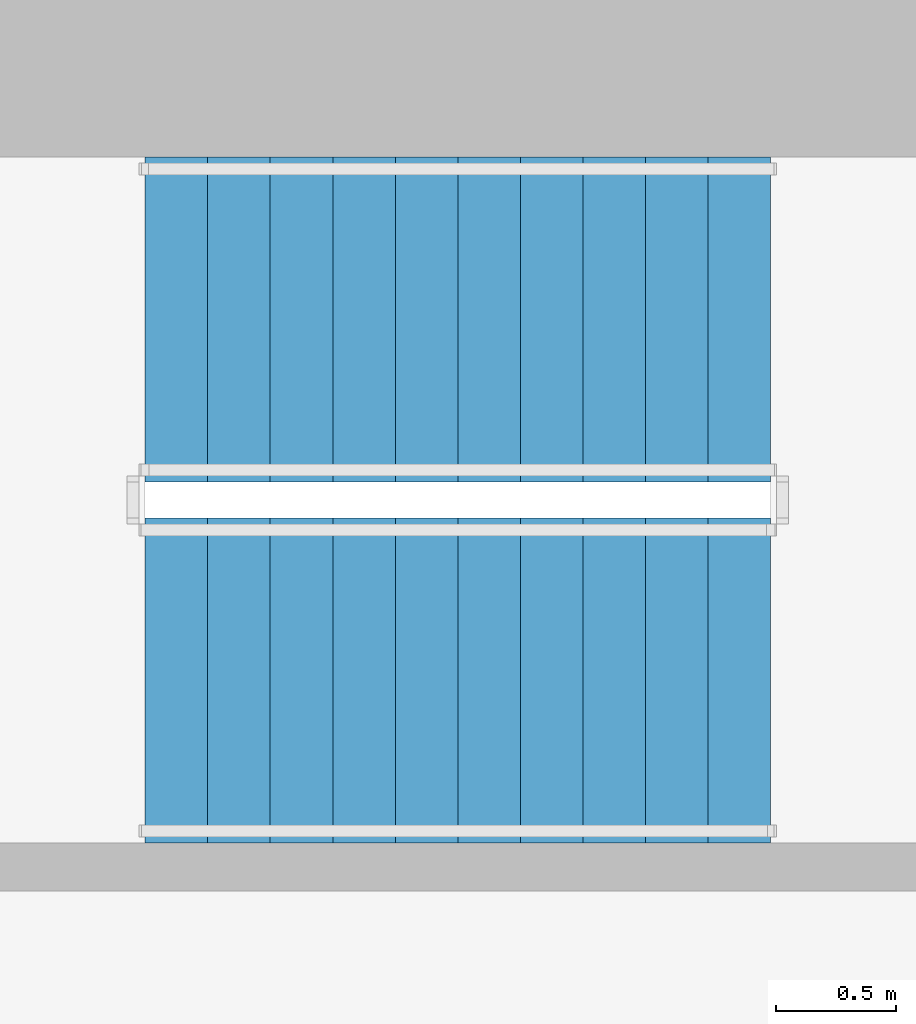
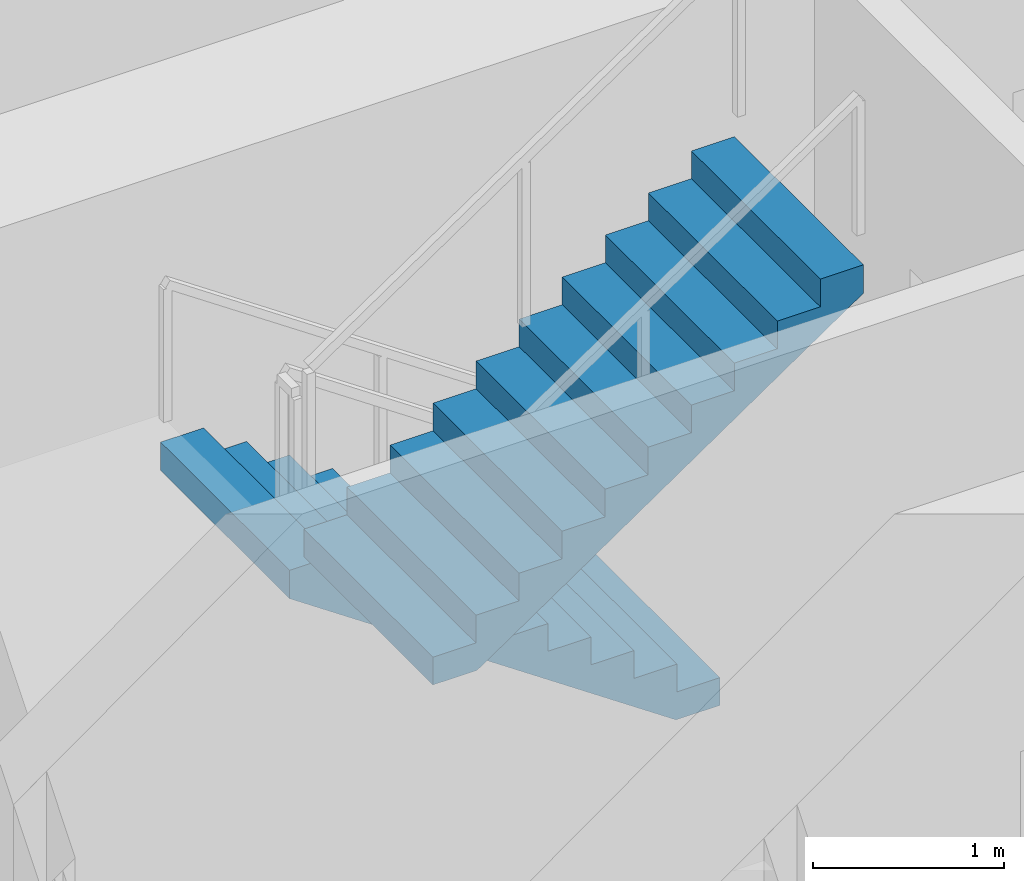
# One storey, part 10 of 15: 2 stair flights, 1 element without a shape of its own.
"""IFC4 building model written with IfcOpenShell, lengths in metres."""

from ifc_helpers import new_model, si_unit, direction, frame, origin, place, context, subcontext, project, spatial, polyline, outline, extrude, material, type_object, element, aggregate, save


model = new_model("IFC4")

# Units and contexts
model_context = context("Model", 3, precision=1e-05, world=origin(), true_north=direction((0.0, 1.0)))
body_context = subcontext(model_context, "Body", "Model", "MODEL_VIEW")
ifc_project = project(units=[si_unit("LENGTHUNIT", "METRE"), si_unit("AREAUNIT", "SQUARE_METRE"), si_unit("VOLUMEUNIT", "CUBIC_METRE"), si_unit("PLANEANGLEUNIT", "RADIAN"), si_unit("MASSUNIT", "GRAM", prefix="KILO")], contexts=[model_context])

# Site, building, storey
site_placement = place(None, origin())
site = spatial("IfcSite", under=ifc_project, at=site_placement, CompositionType="ELEMENT")
building_placement = place(site_placement, origin())
building = spatial("IfcBuilding", under=site, at=building_placement, Name="Khepri Terraces", CompositionType="ELEMENT")
storey_placement = place(building_placement, frame((0.0, 0.0, 256.199951171875)))
storey = spatial("IfcBuildingStorey", under=building, at=storey_placement, Name="L61", CompositionType="ELEMENT", Elevation=256.199951171875)

# Stair, stair flights
ifc_material = material(Name="Concrete C40/50", Category="concrete")
stair_type = type_object("IfcStairType", Name="STAIR-RC-22R", PredefinedType="HALF_TURN_STAIR", material=ifc_material)
stair_placement = place(storey_placement, origin())
stair = element("IfcStair", 1, at=stair_placement, inside=storey, type_object=stair_type, Name="L61 Exit Stair ST-3", PredefinedType="HALF_TURN_STAIR")
stair_flight_type = type_object("IfcStairFlightType", Name="SFL-RC-177.3", PredefinedType="STRAIGHT", material=ifc_material)
stair_flight_1_placement = place(storey_placement, frame((-0.25, 9.425048828125, 0.0), z_axis=(0.0, 0.0, 1.0), x_axis=(-1.0, 0.0, 0.0)))
stair_flight_1 = element("IfcStairFlight", 2, at=stair_flight_1_placement, type_object=stair_flight_type, Name="ST-3 flight 1", NumberOfRisers=11, NumberOfTreads=10, PredefinedType="STRAIGHT", RiserHeight=0.177272727, TreadLength=0.26, context=body_context, shape_type="SweptSolid", body=[
    extrude(outline(polyline([(0.0, 0.0), (0.0, 0.17724609375), (0.260009765625, 0.17724609375), (0.260009765625, 0.3544921875), (0.52001953125, 0.3544921875), (0.52001953125, 0.53173828125), (0.780029296875, 0.53173828125), (0.780029296875, 0.708984375), (1.0400390625, 0.708984375), (1.0400390625, 0.886474609375), (1.300048828125, 0.886474609375), (1.300048828125, 1.063720703125), (1.56005859375, 1.063720703125), (1.56005859375, 1.240966796875), (1.820068359375, 1.240966796875), (1.820068359375, 1.418212890625), (2.080078125, 1.418212890625), (2.080078125, 1.595458984375), (2.340087890625, 1.595458984375), (2.340087890625, 1.772705078125), (2.60009765625, 1.772705078125), (2.60009765625, 1.949951171875), (2.60009765625, 1.59130859375), (0.26611328125, 0.0), (0.0, 0.0)])), frame((0.0, 0.675048828125, 0.0), z_axis=(0.0, -1.0, 0.0), x_axis=(1.0, 0.0, 0.0)), (0.0, 0.0, 1.0), 1.35009765625),
])
stair_flight_2_placement = place(storey_placement, frame((-2.85009765625, 7.925048828125, 1.949951171875), z_axis=(0.0, 0.0, 1.0), x_axis=(1.0, 0.0, 0.0)))
stair_flight_2 = element("IfcStairFlight", 3, at=stair_flight_2_placement, type_object=stair_flight_type, Name="ST-3 flight 2", NumberOfRisers=11, NumberOfTreads=10, PredefinedType="STRAIGHT", RiserHeight=0.177272727, TreadLength=0.26, context=body_context, shape_type="SweptSolid", body=[
    extrude(outline(polyline([(0.0, 0.0), (0.0, 0.17724609375), (0.260009765625, 0.17724609375), (0.260009765625, 0.3544921875), (0.52001953125, 0.3544921875), (0.52001953125, 0.53173828125), (0.780029296875, 0.53173828125), (0.780029296875, 0.708984375), (1.0400390625, 0.708984375), (1.0400390625, 0.886474609375), (1.300048828125, 0.886474609375), (1.300048828125, 1.063720703125), (1.56005859375, 1.063720703125), (1.56005859375, 1.240966796875), (1.820068359375, 1.240966796875), (1.820068359375, 1.418212890625), (2.080078125, 1.418212890625), (2.080078125, 1.595458984375), (2.340087890625, 1.595458984375), (2.340087890625, 1.772705078125), (2.60009765625, 1.772705078125), (2.60009765625, 1.949951171875), (2.60009765625, 1.59130859375), (0.26611328125, 0.0), (0.0, 0.0)])), frame((0.0, 0.675048828125, 0.0), z_axis=(0.0, -1.0, 0.0), x_axis=(1.0, 0.0, 0.0)), (0.0, 0.0, 1.0), 1.35009765625),
])
aggregate(stair, [stair_flight_1, stair_flight_2])

save(model, "model.ifc")
